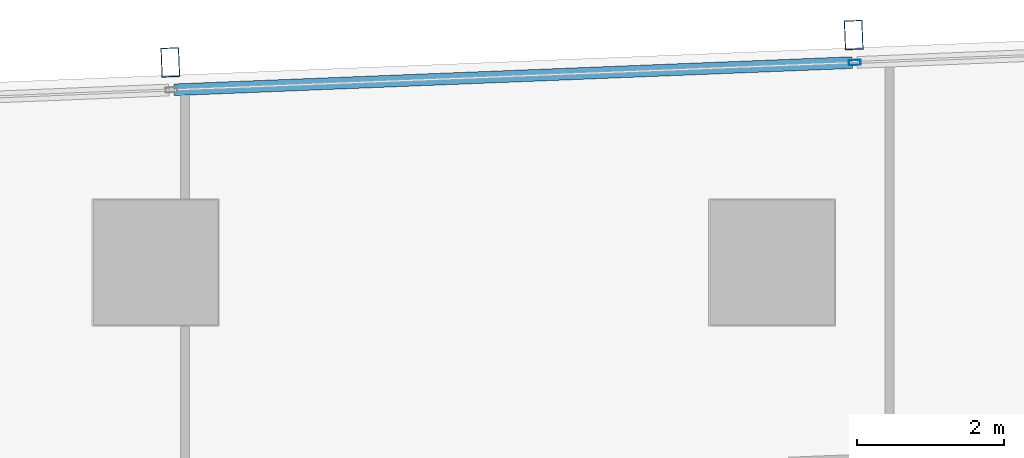
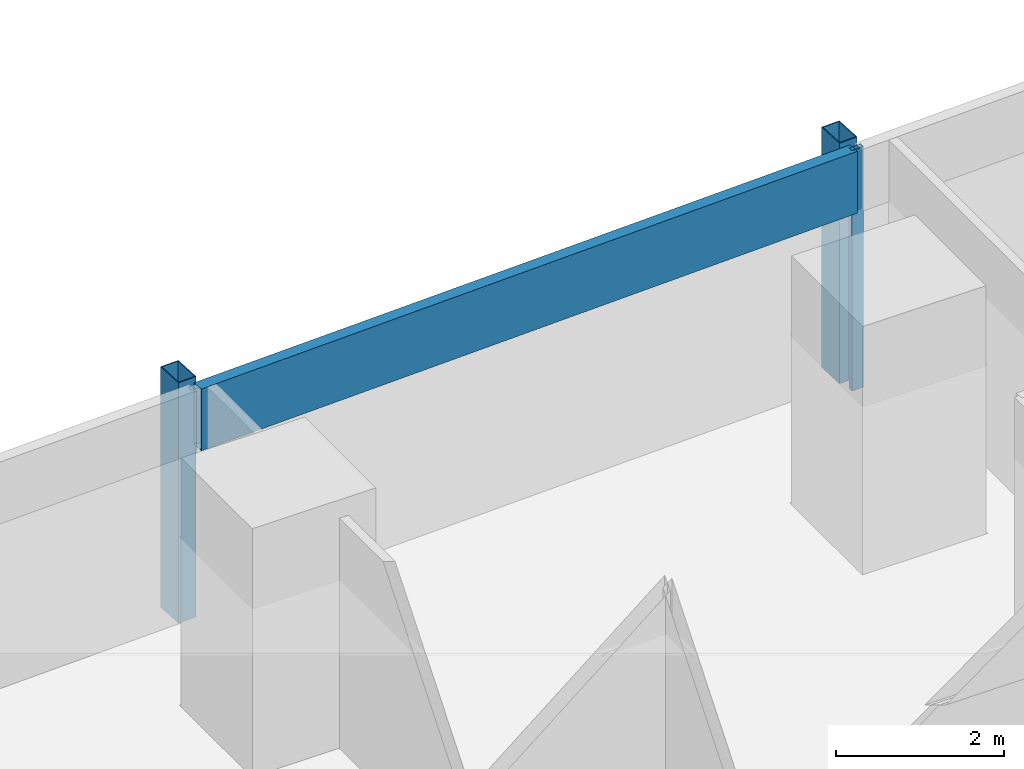
# One storey, part 17 of 40: 4 members, 1 element without a shape of its own.
"""IFC4 building model written with IfcOpenShell, lengths in metres."""

from ifc_helpers import new_model, si_unit, direction, frame, origin, origin_2d, place, context, subcontext, project, spatial, hollow_rectangle, extrude, material, material_profile, profile_set, type_object, element, aggregate, save


model = new_model("IFC4")

# Units and contexts
model_context = context("Model", 3, precision=1e-05, world=origin(), true_north=direction((0.0, 1.0)))
body_context = subcontext(model_context, "Body", "Model", "MODEL_VIEW")
ifc_project = project(units=[si_unit("LENGTHUNIT", "METRE"), si_unit("AREAUNIT", "SQUARE_METRE"), si_unit("VOLUMEUNIT", "CUBIC_METRE"), si_unit("PLANEANGLEUNIT", "RADIAN"), si_unit("MASSUNIT", "GRAM", prefix="KILO")], contexts=[model_context])

# Site, building, storey
site_placement = place(None, origin())
site = spatial("IfcSite", under=ifc_project, at=site_placement, CompositionType="ELEMENT")
building_placement = place(site_placement, origin())
building = spatial("IfcBuilding", under=site, at=building_placement, Name="Rekha Terrace Tower", CompositionType="ELEMENT")
storey_placement = place(building_placement, frame((0.0, 0.0, 99.050048828125)))
storey = spatial("IfcBuildingStorey", under=building, at=storey_placement, Name="L24", CompositionType="ELEMENT", Elevation=99.050048828125)

# Curtain wall, members
ifc_material_1 = material(Name="Aluminium framing", Category="aluminium")
curtain_wall_type = type_object("IfcCurtainWallType", Name="CW3 north unitised glazing", PredefinedType="USERDEFINED", material=ifc_material_1)
curtain_wall_placement = place(storey_placement, origin())
curtain_wall = element("IfcCurtainWall", 1, at=curtain_wall_placement, inside=storey, type_object=curtain_wall_type, Name="CW3 unitised curtain wall", ObjectType="UNITISED CURTAIN WALL", PredefinedType="USERDEFINED")
ifc_material_2 = material(Name="Steel S355 with fluorocarbon finish", Category="steel")
ifc_material_profile_1 = material_profile(ifc_material_2, hollow_rectangle(XDim=0.25, YDim=0.39990234375, WallThickness=0.012451171875, at=origin_2d()), Name="RHS400x250x12.5")
ifc_profile_set_1 = profile_set([ifc_material_profile_1], Name="Steel S355 with fluorocarbon finish")
member_type_1 = type_object("IfcMemberType", Name="BL1 facade blade RHS 400 x 250", PredefinedType="USERDEFINED", material=ifc_profile_set_1)
member_1_placement = place(storey_placement, frame((34.7109375, 61.9013671875, 0.0), z_axis=(0.0, 0.0, 1.0), x_axis=(-0.999198382632, -0.040032388711, 0.0)))
member_1 = element("IfcMember", 2, at=member_1_placement, type_object=member_type_1, Name="Facade blade", ObjectType="FACADE BLADE", PredefinedType="USERDEFINED", context=body_context, shape_type="SweptSolid", body=[
    extrude(hollow_rectangle(XDim=0.25, YDim=0.39990234375, WallThickness=0.012451171875, at=origin_2d()), origin(), (0.0, 0.0, 1.0), 3.5),
])
member_2_placement = place(storey_placement, frame((25.39892578125, 61.5283203125, 0.0), z_axis=(0.0, 0.0, 1.0), x_axis=(-0.999198382632, -0.040032388711, 0.0)))
member_2 = element("IfcMember", 3, at=member_2_placement, type_object=member_type_1, Name="Facade blade", ObjectType="FACADE BLADE", PredefinedType="USERDEFINED", context=body_context, shape_type="SweptSolid", body=[
    extrude(hollow_rectangle(XDim=0.25, YDim=0.39990234375, WallThickness=0.012451171875, at=origin_2d()), origin(), (0.0, 0.0, 1.0), 3.5),
])
ifc_material_3 = material(Name="Aluminium mullion section", Category="aluminium")
ifc_material_profile_2 = material_profile(ifc_material_3, hollow_rectangle(XDim=0.070068359375, YDim=0.159912109375, WallThickness=0.00390625, at=origin_2d()), Name="AL RHS 70x160")
ifc_profile_set_2 = profile_set([ifc_material_profile_2], Name="Aluminium mullion section")
member_type_2 = type_object("IfcMemberType", Name="CW3 mullion RHS 70 x 160", PredefinedType="MULLION", material=ifc_profile_set_2)
member_3_placement = place(storey_placement, frame((34.725830078125, 61.526611328125, 0.0), z_axis=(0.0, 0.0, 1.0), x_axis=(0.040031987119, -0.999198398721, 0.0)))
member_3 = element("IfcMember", 4, at=member_3_placement, type_object=member_type_2, Name="CW3 mullion 2", PredefinedType="MULLION", context=body_context, shape_type="SweptSolid", body=[
    extrude(hollow_rectangle(XDim=0.070068359375, YDim=0.159912109375, WallThickness=0.00390625, at=origin_2d()), origin(), (0.0, 0.0, 1.0), 3.5),
])
ifc_material_4 = material(Name="Insulated aluminium spandrel box", Category="aluminium")
ifc_material_profile_3 = material_profile(ifc_material_4, hollow_rectangle(XDim=0.159912109375, YDim=0.89990234375, WallThickness=0.0029296875, at=origin_2d()), Name="AL SPANDREL BOX 160x900")
ifc_profile_set_3 = profile_set([ifc_material_profile_3], Name="Insulated aluminium spandrel box")
member_type_3 = type_object("IfcMemberType", Name="CW3 spandrel transom 160 x 900", PredefinedType="USERDEFINED", material=ifc_profile_set_3)
member_4_placement = place(storey_placement, frame((34.69091796875, 61.525390625, 3.050048828125), z_axis=(-0.999198046754, -0.040040771263, 0.0), x_axis=(0.040040771263, -0.999198046754, 0.0)))
member_4 = element("IfcMember", 5, at=member_4_placement, type_object=member_type_3, Name="CW3 spandrel transom 2", ObjectType="TRANSOM", PredefinedType="USERDEFINED", context=body_context, shape_type="SweptSolid", body=[
    extrude(hollow_rectangle(XDim=0.159912109375, YDim=0.89990234375, WallThickness=0.0029296875, at=origin_2d()), origin(), (0.0, 0.0, 1.0), 9.24951171875),
])
aggregate(curtain_wall, [member_3, member_4, member_1, member_2])

save(model, "model.ifc")
